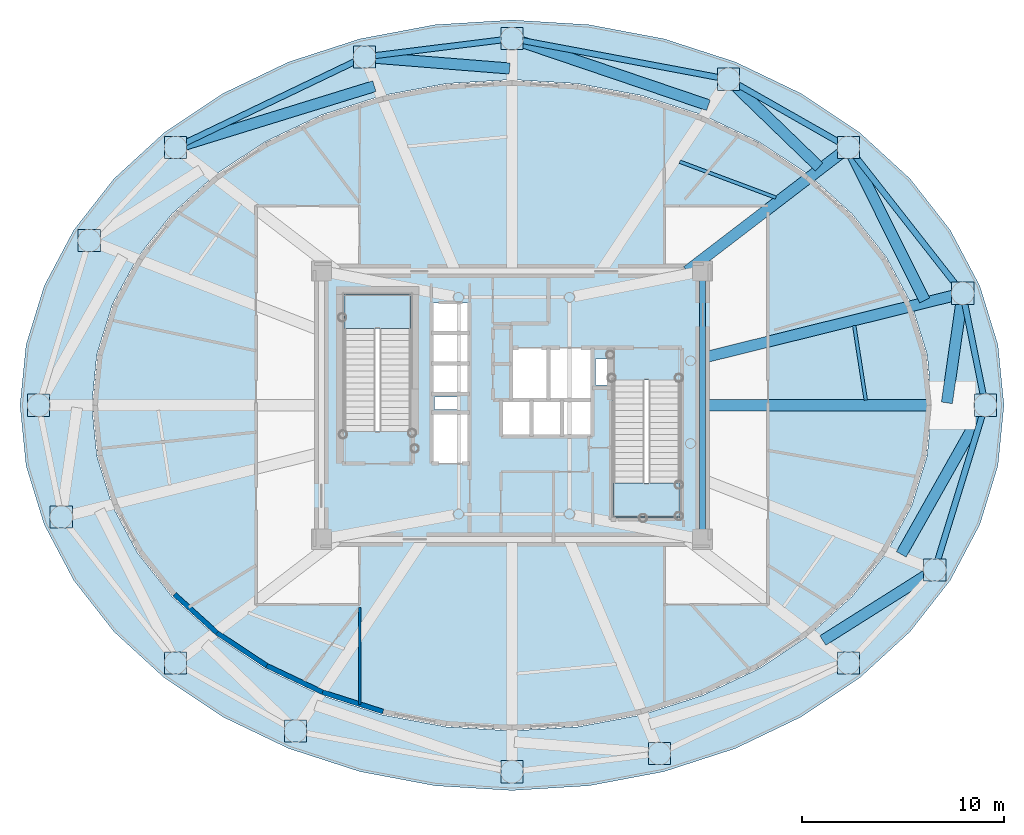
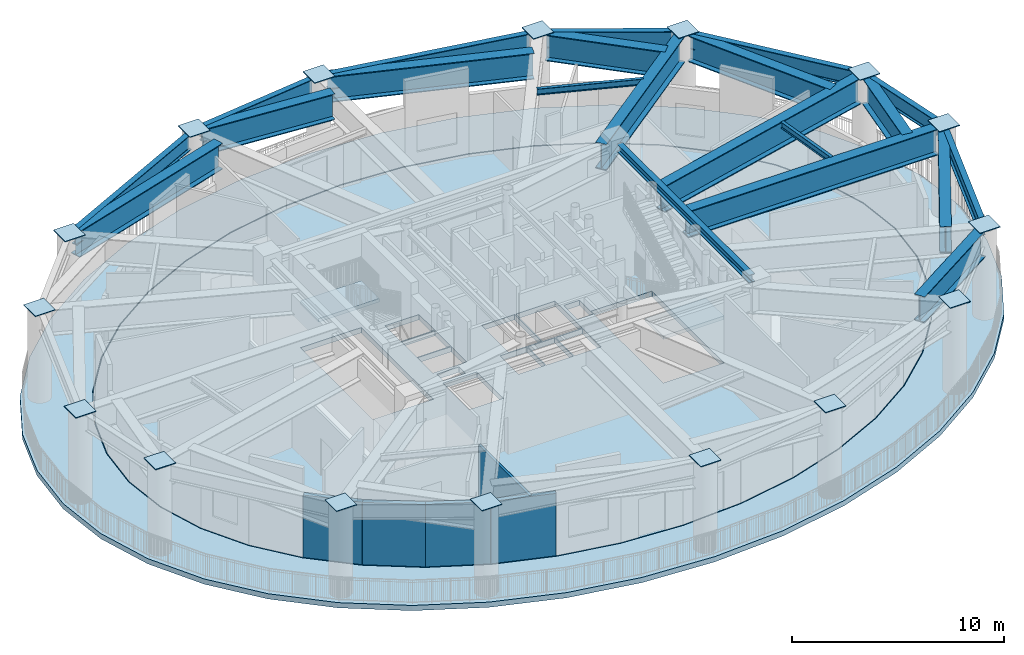
# One storey, part 3 of 14: 21 beams, 16 plates, 5 walls, 4 slabs, 2 elements without a shape of their own.
"""IFC4 building model written with IfcOpenShell, lengths in metres."""

from ifc_helpers import new_model, si_unit, direction, frame, frame_2d, origin, origin_2d, place, context, subcontext, project, spatial, polyline, rectangle, i_section, outline, extrude, source, transform, mapped, material, layer, layer_set, material_profile, profile_set, type_object, element, aggregate, save


model = new_model("IFC4")

# Units and contexts
model_context = context("Model", 3, precision=1e-05, world=origin(), true_north=direction((0.0, 1.0)))
body_context = subcontext(model_context, "Body", "Model", "MODEL_VIEW")
ifc_project = project(units=[si_unit("LENGTHUNIT", "METRE"), si_unit("AREAUNIT", "SQUARE_METRE"), si_unit("VOLUMEUNIT", "CUBIC_METRE"), si_unit("PLANEANGLEUNIT", "RADIAN"), si_unit("MASSUNIT", "GRAM", prefix="KILO")], contexts=[model_context])

# Site, building, storey
site_placement = place(None, origin())
site = spatial("IfcSite", under=ifc_project, at=site_placement, CompositionType="ELEMENT")
building_placement = place(site_placement, origin())
building = spatial("IfcBuilding", under=site, at=building_placement, Name="Linh Dai School and Residence Tower", CompositionType="ELEMENT")
storey_placement = place(building_placement, frame((0.0, 0.0, 262.800048828125)))
storey = spatial("IfcBuildingStorey", under=building, at=storey_placement, Name="L65", CompositionType="ELEMENT", Elevation=262.800048828125)

# Beams
ifc_material_1 = material(Name="Structural Steel S355JR", Category="steel")
ifc_material_profile_1 = material_profile(ifc_material_1, i_section(OverallWidth=0.300048828125, OverallDepth=0.449951171875, WebThickness=0.013916015625, FlangeThickness=0.02587890625, FilletRadius=0.027099609375, at=origin_2d()), Name="HEB 450")
ifc_profile_set_1 = profile_set([ifc_material_profile_1], Name="Structural Steel S355JR")
beam_type_1 = type_object("IfcBeamType", Name="BM-RG45", PredefinedType="BEAM", material=ifc_profile_set_1)
beam_1_placement = place(storey_placement, frame((45.449951171875, 20.77001953125, 4.875), z_axis=(0.0, 1.0, 0.0), x_axis=(-1.0, 0.0, 0.0)))
element("IfcBeam", 1, at=beam_1_placement, inside=storey, type_object=beam_type_1, Name="L65 Core Perimeter Coupling Girder 2", PredefinedType="BEAM", context=body_context, shape_type="SweptSolid", body=[
    extrude(i_section(OverallWidth=0.300048828125, OverallDepth=0.449951171875, WebThickness=0.013916015625, FlangeThickness=0.02587890625, FilletRadius=0.027099609375, at=origin_2d()), origin(), (0.0, 0.0, 1.0), 12.4599609375),
])
ifc_material_profile_2 = material_profile(ifc_material_1, i_section(OverallWidth=0.300048828125, OverallDepth=0.89990234375, WebThickness=0.0185546875, FlangeThickness=0.034912109375, FilletRadius=0.030029296875, at=origin_2d()), Name="HEB 900")
ifc_profile_set_2 = profile_set([ifc_material_profile_2], Name="Structural Steel S355JR")
beam_type_2 = type_object("IfcBeamType", Name="BM-RG9", PredefinedType="BEAM", material=ifc_profile_set_2)
beam_2_placement = place(storey_placement, frame((59.3916015625, 27.41162109375, 4.64990234375), z_axis=(-0.198423200906, 0.980116438666, 0.0), x_axis=(-0.980116438666, -0.198423200906, 0.0)))
element("IfcBeam", 2, at=beam_2_placement, inside=storey, type_object=beam_type_2, Name="L65 Perimeter Elliptical Ring Beam 01", PredefinedType="BEAM", context=body_context, shape_type="SweptSolid", body=[
    extrude(i_section(OverallWidth=0.300048828125, OverallDepth=0.89990234375, WebThickness=0.0185546875, FlangeThickness=0.034912109375, FilletRadius=0.030029296875, at=origin_2d()), origin(), (0.0, 0.0, 1.0), 4.822021484375),
])
beam_3_placement = place(storey_placement, frame((58.09228515625, 32.8798828125, 4.64990234375), z_axis=(-0.616900268003, 0.787041332674, 0.0), x_axis=(-0.787041332674, -0.616900268003, 0.0)))
element("IfcBeam", 3, at=beam_3_placement, inside=storey, type_object=beam_type_2, Name="L65 Perimeter Elliptical Ring Beam 02", PredefinedType="BEAM", context=body_context, shape_type="SweptSolid", body=[
    extrude(i_section(OverallWidth=0.300048828125, OverallDepth=0.89990234375, WebThickness=0.0185546875, FlangeThickness=0.034912109375, FilletRadius=0.030029296875, at=origin_2d()), origin(), (0.0, 0.0, 1.0), 8.348388671875),
])
beam_4_placement = place(storey_placement, frame((52.318115234375, 39.988525390625, 4.64990234375), z_axis=(-0.869297314463, 0.494289570058, 0.0), x_axis=(-0.494289570058, -0.869297314463, 0.0)))
element("IfcBeam", 4, at=beam_4_placement, inside=storey, type_object=beam_type_2, Name="L65 Perimeter Elliptical Ring Beam 03", PredefinedType="BEAM", context=body_context, shape_type="SweptSolid", body=[
    extrude(i_section(OverallWidth=0.300048828125, OverallDepth=0.89990234375, WebThickness=0.0185546875, FlangeThickness=0.034912109375, FilletRadius=0.030029296875, at=origin_2d()), origin(), (0.0, 0.0, 1.0), 6.003173828125),
])
beam_5_placement = place(storey_placement, frame((46.32177734375, 43.240966796875, 4.64990234375), z_axis=(-0.982806607762, 0.184637947722, 0.0), x_axis=(-0.184637947722, -0.982806607762, 0.0)))
element("IfcBeam", 5, at=beam_5_placement, inside=storey, type_object=beam_type_2, Name="L65 Perimeter Elliptical Ring Beam 04", PredefinedType="BEAM", context=body_context, shape_type="SweptSolid", body=[
    extrude(i_section(OverallWidth=0.300048828125, OverallDepth=0.89990234375, WebThickness=0.0185546875, FlangeThickness=0.034912109375, FilletRadius=0.030029296875, at=origin_2d()), origin(), (0.0, 0.0, 1.0), 10.082275390625),
])
beam_6_placement = place(storey_placement, frame((35.583251953125, 45.12841796875, 4.64990234375), z_axis=(-0.992401656104, -0.123040452539, 0.0), x_axis=(0.123040452539, -0.992401656104, 0.0)))
element("IfcBeam", 6, at=beam_6_placement, inside=storey, type_object=beam_type_2, Name="L65 Perimeter Elliptical Ring Beam 05", PredefinedType="BEAM", context=body_context, shape_type="SweptSolid", body=[
    extrude(i_section(OverallWidth=0.300048828125, OverallDepth=0.89990234375, WebThickness=0.0185546875, FlangeThickness=0.034912109375, FilletRadius=0.030029296875, at=origin_2d()), origin(), (0.0, 0.0, 1.0), 6.528076171875),
])
beam_7_placement = place(storey_placement, frame((28.309326171875, 44.092041015625, 4.64990234375), z_axis=(-0.901735920201, -0.432287323686, 0.0), x_axis=(0.432287323686, -0.901735920201, 0.0)))
element("IfcBeam", 7, at=beam_7_placement, inside=storey, type_object=beam_type_2, Name="L65 Perimeter Elliptical Ring Beam 06", PredefinedType="BEAM", context=body_context, shape_type="SweptSolid", body=[
    extrude(i_section(OverallWidth=0.300048828125, OverallDepth=0.89990234375, WebThickness=0.0185546875, FlangeThickness=0.034912109375, FilletRadius=0.030029296875, at=origin_2d()), origin(), (0.0, 0.0, 1.0), 9.552490234375),
])
beam_8_placement = place(storey_placement, frame((57.088623046875, 19.232421875, 4.64990234375), z_axis=(0.293660595717, 0.95590975229, 0.0), x_axis=(-0.95590975229, 0.293660595717, 0.0)))
element("IfcBeam", 8, at=beam_8_placement, inside=storey, type_object=beam_type_2, Name="L65 Perimeter Elliptical Ring Beam 16", PredefinedType="BEAM", context=body_context, shape_type="SweptSolid", body=[
    extrude(i_section(OverallWidth=0.300048828125, OverallDepth=0.89990234375, WebThickness=0.0185546875, FlangeThickness=0.034912109375, FilletRadius=0.030029296875, at=origin_2d()), origin(), (0.0, 0.0, 1.0), 7.7060546875),
])
ifc_material_profile_3 = material_profile(ifc_material_1, i_section(OverallWidth=0.169921875, OverallDepth=0.360107421875, WebThickness=0.008056640625, FlangeThickness=0.0126953125, FilletRadius=0.01806640625, at=origin_2d()), Name="IPE 360")
ifc_profile_set_3 = profile_set([ifc_material_profile_3], Name="Structural Steel S355JR")
beam_type_3 = type_object("IfcBeamType", Name="BM-SB36", PredefinedType="BEAM", material=ifc_profile_set_3)
beam_9_placement = place(storey_placement, frame((53.54541015625, 27.251953125, 4.919921875), z_axis=(-0.153169362504, 0.988199952636, 0.0), x_axis=(-0.988199952636, -0.153169362504, 0.0)))
element("IfcBeam", 9, at=beam_9_placement, inside=storey, type_object=beam_type_3, Name="L65 Secondary Circumferential Floor Beam 01", PredefinedType="BEAM", context=body_context, shape_type="SweptSolid", body=[
    extrude(i_section(OverallWidth=0.169921875, OverallDepth=0.360107421875, WebThickness=0.008056640625, FlangeThickness=0.0126953125, FilletRadius=0.01806640625, at=origin_2d()), origin(), (0.0, 0.0, 1.0), 3.744140625),
])
beam_10_placement = place(storey_placement, frame((49.083251953125, 37.29541015625, 4.919921875), z_axis=(-0.936544019385, 0.350549996083, 0.0), x_axis=(-0.350549996083, -0.936544019385, 0.0)))
element("IfcBeam", 10, at=beam_10_placement, inside=storey, type_object=beam_type_3, Name="L65 Secondary Circumferential Floor Beam 02", PredefinedType="BEAM", context=body_context, shape_type="SweptSolid", body=[
    extrude(i_section(OverallWidth=0.169921875, OverallDepth=0.360107421875, WebThickness=0.008056640625, FlangeThickness=0.0126953125, FilletRadius=0.01806640625, at=origin_2d()), origin(), (0.0, 0.0, 1.0), 5.086181640625),
])
ifc_material_profile_4 = material_profile(ifc_material_1, i_section(OverallWidth=0.550048828125, OverallDepth=1.5, WebThickness=0.028076171875, FlangeThickness=0.050048828125, at=origin_2d()), Name="PG 1500x550x28x50")
ifc_profile_set_4 = profile_set([ifc_material_profile_4], Name="Structural Steel S355JR")
beam_type_4 = type_object("IfcBeamType", Name="BM-TG15", PredefinedType="BEAM", material=ifc_profile_set_4)
beam_11_placement = place(storey_placement, frame((45.449951171875, 27.0, 4.349853515625), z_axis=(1.0, 0.0, 0.0), x_axis=(0.0, 1.0, 0.0)))
element("IfcBeam", 11, at=beam_11_placement, inside=storey, type_object=beam_type_4, Name="L65 Radial Setback Transfer Girder 01", PredefinedType="BEAM", context=body_context, shape_type="SweptSolid", body=[
    extrude(i_section(OverallWidth=0.550048828125, OverallDepth=1.5, WebThickness=0.028076171875, FlangeThickness=0.050048828125, at=origin_2d()), origin(), (0.0, 0.0, 1.0), 13.60498046875),
])
beam_12_placement = place(storey_placement, frame((57.567138671875, 27.11865234375, 4.349853515625), z_axis=(0.142959189378, 0.989728584094, 0.0), x_axis=(-0.989728584094, 0.142959189378, 0.0)))
element("IfcBeam", 12, at=beam_12_placement, inside=storey, type_object=beam_type_4, Name="L65 Setback Diaphragm Transfer Girder 01", PredefinedType="BEAM", context=body_context, shape_type="SweptSolid", body=[
    extrude(i_section(OverallWidth=0.550048828125, OverallDepth=1.5, WebThickness=0.028076171875, FlangeThickness=0.050048828125, at=origin_2d()), origin(), (0.0, 0.0, 1.0), 5.06689453125),
])
beam_13_placement = place(storey_placement, frame((45.449951171875, 29.34619140625, 4.349853515625), z_axis=(0.970537241974, 0.240951160904, 0.0), x_axis=(-0.240951160904, 0.970537241974, 0.0)))
element("IfcBeam", 13, at=beam_13_placement, inside=storey, type_object=beam_type_4, Name="L65 Radial Setback Transfer Girder 02", PredefinedType="BEAM", context=body_context, shape_type="SweptSolid", body=[
    extrude(i_section(OverallWidth=0.550048828125, OverallDepth=1.5, WebThickness=0.028076171875, FlangeThickness=0.050048828125, at=origin_2d()), origin(), (0.0, 0.0, 1.0), 12.873291015625),
])
beam_14_placement = place(storey_placement, frame((56.465087890625, 32.20166015625, 4.349853515625), z_axis=(-0.44648563007, 0.894790803563, 0.0), x_axis=(-0.894790803563, -0.44648563007, 0.0)))
element("IfcBeam", 14, at=beam_14_placement, inside=storey, type_object=beam_type_4, Name="L65 Setback Diaphragm Transfer Girder 02", PredefinedType="BEAM", context=body_context, shape_type="SweptSolid", body=[
    extrude(i_section(OverallWidth=0.550048828125, OverallDepth=1.5, WebThickness=0.028076171875, FlangeThickness=0.050048828125, at=origin_2d()), origin(), (0.0, 0.0, 1.0), 8.050537109375),
])
beam_15_placement = place(storey_placement, frame((44.680419921875, 33.64990234375, 4.349853515625), z_axis=(0.793814553483, 0.608159892363, 0.0), x_axis=(-0.608159892363, 0.793814553483, 0.0)))
element("IfcBeam", 15, at=beam_15_placement, inside=storey, type_object=beam_type_4, Name="L65 Radial Setback Transfer Girder 03", PredefinedType="BEAM", context=body_context, shape_type="SweptSolid", body=[
    extrude(i_section(OverallWidth=0.550048828125, OverallDepth=1.5, WebThickness=0.028076171875, FlangeThickness=0.050048828125, at=origin_2d()), origin(), (0.0, 0.0, 1.0), 9.661376953125),
])
beam_16_placement = place(storey_placement, frame((51.22900390625, 38.81689453125, 4.349853515625), z_axis=(-0.718812643835, 0.695203842814, 0.0), x_axis=(-0.695203842814, -0.718812643835, 0.0)))
element("IfcBeam", 16, at=beam_16_placement, inside=storey, type_object=beam_type_4, Name="L65 Setback Diaphragm Transfer Girder 03", PredefinedType="BEAM", context=body_context, shape_type="SweptSolid", body=[
    extrude(i_section(OverallWidth=0.550048828125, OverallDepth=1.5, WebThickness=0.028076171875, FlangeThickness=0.050048828125, at=origin_2d()), origin(), (0.0, 0.0, 1.0), 5.832275390625),
])
beam_17_placement = place(storey_placement, frame((45.74072265625, 41.877197265625, 4.349853515625), z_axis=(-0.947039860477, 0.321116026799, 0.0), x_axis=(-0.321116026799, -0.947039860477, 0.0)))
element("IfcBeam", 17, at=beam_17_placement, inside=storey, type_object=beam_type_4, Name="L65 Setback Diaphragm Transfer Girder 04", PredefinedType="BEAM", context=body_context, shape_type="SweptSolid", body=[
    extrude(i_section(OverallWidth=0.550048828125, OverallDepth=1.5, WebThickness=0.028076171875, FlangeThickness=0.050048828125, at=origin_2d()), origin(), (0.0, 0.0, 1.0), 9.865478515625),
])
beam_18_placement = place(storey_placement, frame((35.88037109375, 43.699462890625, 4.349853515625), z_axis=(-0.996831252017, 0.079545301567, 0.0), x_axis=(-0.079545301567, -0.996831252017, 0.0)))
element("IfcBeam", 18, at=beam_18_placement, inside=storey, type_object=beam_type_4, Name="L65 Setback Diaphragm Transfer Girder 05", PredefinedType="BEAM", context=body_context, shape_type="SweptSolid", body=[
    extrude(i_section(OverallWidth=0.550048828125, OverallDepth=1.5, WebThickness=0.028076171875, FlangeThickness=0.050048828125, at=origin_2d()), origin(), (0.0, 0.0, 1.0), 6.795166015625),
])
beam_19_placement = place(storey_placement, frame((29.1728515625, 42.822509765625, 4.349853515625), z_axis=(-0.955533802435, -0.294881590479, 0.0), x_axis=(0.294881590479, -0.955533802435, 0.0)))
element("IfcBeam", 19, at=beam_19_placement, inside=storey, type_object=beam_type_4, Name="L65 Setback Diaphragm Transfer Girder 06", PredefinedType="BEAM", context=body_context, shape_type="SweptSolid", body=[
    extrude(i_section(OverallWidth=0.550048828125, OverallDepth=1.5, WebThickness=0.028076171875, FlangeThickness=0.050048828125, at=origin_2d()), origin(), (0.0, 0.0, 1.0), 9.89453125),
])
beam_20_placement = place(storey_placement, frame((51.416748046875, 15.33056640625, 4.349853515625), z_axis=(0.845757111662, 0.533568091318, 0.0), x_axis=(-0.533568091318, 0.845757111662, 0.0)))
element("IfcBeam", 20, at=beam_20_placement, inside=storey, type_object=beam_type_4, Name="L65 Setback Diaphragm Transfer Girder 15", PredefinedType="BEAM", context=body_context, shape_type="SweptSolid", body=[
    extrude(i_section(OverallWidth=0.550048828125, OverallDepth=1.5, WebThickness=0.028076171875, FlangeThickness=0.050048828125, at=origin_2d()), origin(), (0.0, 0.0, 1.0), 6.140380859375),
])
beam_21_placement = place(storey_placement, frame((55.304931640625, 19.605224609375, 4.349853515625), z_axis=(0.491204662969, 0.871044188935, 0.0), x_axis=(-0.871044188935, 0.491204662969, 0.0)))
element("IfcBeam", 21, at=beam_21_placement, inside=storey, type_object=beam_type_4, Name="L65 Setback Diaphragm Transfer Girder 16", PredefinedType="BEAM", context=body_context, shape_type="SweptSolid", body=[
    extrude(i_section(OverallWidth=0.550048828125, OverallDepth=1.5, WebThickness=0.028076171875, FlangeThickness=0.050048828125, at=origin_2d()), origin(), (0.0, 0.0, 1.0), 8.069580078125),
])

# Slabs
ifc_material_2 = material(Name="Concrete B45 (C35/45)", Category="concrete")
ifc_layer_1 = layer(ifc_material_2, 0.300048828125)
ifc_layer_set_1 = layer_set([ifc_layer_1], Name="Concrete B45 (C35/45)")
slab_type_1 = type_object("IfcSlabType", Name="SLB-DECK300", PredefinedType="FLOOR", material=ifc_layer_set_1)
slab_1_placement = place(storey_placement, frame((0.0, 0.0, -0.300048828125)))
element("IfcSlab", 22, at=slab_1_placement, inside=storey, type_object=slab_type_1, Name="L65 Planted Sky-Garden Refuge Terrace Slab", PredefinedType="FLOOR", context=body_context, shape_type="SweptSolid", body=[
    extrude(outline(polyline([(60.39990234375, 27.0), (60.099609375, 29.98876953125), (59.205810546875, 32.90380859375), (57.740478515625, 35.673583984375), (55.739990234375, 38.229736328125), (53.25341796875, 40.50927734375), (50.342041015625, 42.456298828125), (47.077392578125, 44.022705078125), (43.5400390625, 45.169921875), (39.81689453125, 45.869873046875), (36.0, 46.10498046875), (32.18310546875, 45.869873046875), (28.4599609375, 45.169921875), (24.922607421875, 44.022705078125), (21.657958984375, 42.456298828125), (18.74658203125, 40.50927734375), (16.260009765625, 38.229736328125), (14.259521484375, 35.673583984375), (12.794189453125, 32.90380859375), (11.900390625, 29.98876953125), (11.60009765625, 27.0), (11.900390625, 24.01123046875), (12.794189453125, 21.09619140625), (14.259521484375, 18.326416015625), (16.260009765625, 15.770263671875), (18.74658203125, 13.49072265625), (21.657958984375, 11.543701171875), (24.922607421875, 9.977294921875), (28.4599609375, 8.830078125), (32.18310546875, 8.130126953125), (36.0, 7.89501953125), (39.81689453125, 8.130126953125), (43.5400390625, 8.830078125), (47.077392578125, 9.977294921875), (50.342041015625, 11.543701171875), (53.25341796875, 13.49072265625), (55.739990234375, 15.770263671875), (57.740478515625, 18.326416015625), (59.205810546875, 21.09619140625), (60.099609375, 24.01123046875), (60.39990234375, 27.0)]), holes=[polyline([(56.840087890625, 27.0), (56.58349609375, 29.525634765625), (55.820068359375, 31.989013671875), (54.568603515625, 34.32958984375), (52.85986328125, 36.48974609375), (50.736083984375, 38.416259765625), (48.24951171875, 40.0615234375), (45.461181640625, 41.38525390625), (42.43994140625, 42.354736328125), (39.260009765625, 42.9462890625), (36.0, 43.14501953125), (32.739990234375, 42.9462890625), (29.56005859375, 42.354736328125), (26.538818359375, 41.38525390625), (23.75048828125, 40.0615234375), (21.263916015625, 38.416259765625), (19.14013671875, 36.48974609375), (17.431396484375, 34.32958984375), (16.179931640625, 31.989013671875), (15.41650390625, 29.525634765625), (15.159912109375, 27.0), (15.41650390625, 24.474365234375), (16.179931640625, 22.010986328125), (17.431396484375, 19.67041015625), (19.14013671875, 17.51025390625), (21.263916015625, 15.583740234375), (23.75048828125, 13.9384765625), (26.538818359375, 12.61474609375), (29.56005859375, 11.645263671875), (32.739990234375, 11.0537109375), (36.0, 10.85498046875), (39.260009765625, 11.0537109375), (42.43994140625, 11.645263671875), (45.461181640625, 12.61474609375), (48.24951171875, 13.9384765625), (50.736083984375, 15.583740234375), (52.85986328125, 17.51025390625), (54.568603515625, 19.67041015625), (55.820068359375, 22.010986328125), (56.58349609375, 24.474365234375), (56.840087890625, 27.0)])]), origin(), (0.0, 0.0, 1.0), 0.300048828125),
])
ifc_layer_2 = layer(ifc_material_2, 0.300048828125)
ifc_layer_set_2 = layer_set([ifc_layer_2], Name="Concrete B45 (C35/45)")
slab_type_2 = type_object("IfcSlabType", Name="SLB-FLR300", PredefinedType="FLOOR", material=ifc_layer_set_2)
slab_2_placement = place(storey_placement, frame((0.0, 0.0, -0.300048828125)))
element("IfcSlab", 23, at=slab_2_placement, inside=storey, type_object=slab_type_2, Name="L65 Refuge & Mechanical Plant Indoor Slab", PredefinedType="FLOOR", context=body_context, shape_type="SweptSolid", body=[
    extrude(outline(polyline([(56.800048828125, 27.0), (56.5439453125, 29.519287109375), (55.781982421875, 31.976806640625), (54.532958984375, 34.3115234375), (52.82763671875, 36.46630859375), (50.707763671875, 38.387939453125), (48.225830078125, 40.029296875), (45.443115234375, 41.349609375), (42.427490234375, 42.316650390625), (39.25390625, 42.90673828125), (36.0, 43.10498046875), (32.74609375, 42.90673828125), (29.572509765625, 42.316650390625), (26.556884765625, 41.349609375), (23.774169921875, 40.029296875), (21.292236328125, 38.387939453125), (19.17236328125, 36.46630859375), (17.467041015625, 34.3115234375), (16.218017578125, 31.976806640625), (15.4560546875, 29.519287109375), (15.199951171875, 27.0), (15.4560546875, 24.480712890625), (16.218017578125, 22.023193359375), (17.467041015625, 19.6884765625), (19.17236328125, 17.53369140625), (21.292236328125, 15.612060546875), (23.774169921875, 13.970703125), (26.556884765625, 12.650390625), (29.572509765625, 11.683349609375), (32.74609375, 11.09326171875), (36.0, 10.89501953125), (39.25390625, 11.09326171875), (42.427490234375, 11.683349609375), (45.443115234375, 12.650390625), (48.225830078125, 13.970703125), (50.707763671875, 15.612060546875), (52.82763671875, 17.53369140625), (54.532958984375, 19.6884765625), (55.781982421875, 22.023193359375), (56.5439453125, 24.480712890625), (56.800048828125, 27.0)]), holes=[polyline([(30.97998046875, 25.699951171875), (30.97998046875, 32.5), (27.679931640625, 32.5), (27.679931640625, 25.699951171875), (30.97998046875, 25.699951171875)]), polyline([(41.02001953125, 28.25), (41.02001953125, 21.449951171875), (44.320068359375, 21.449951171875), (44.320068359375, 28.25), (41.02001953125, 28.25)]), polyline([(35.97998046875, 27.280029296875), (37.77001953125, 27.280029296875), (37.77001953125, 29.820068359375), (35.97998046875, 29.820068359375), (35.97998046875, 27.280029296875)]), polyline([(32.030029296875, 24.1298828125), (33.8701171875, 24.1298828125), (33.8701171875, 26.6201171875), (32.030029296875, 26.6201171875), (32.030029296875, 24.1298828125)]), polyline([(37.830078125, 27.280029296875), (39.969970703125, 27.280029296875), (39.969970703125, 29.820068359375), (37.830078125, 29.820068359375), (37.830078125, 27.280029296875)]), polyline([(32.030029296875, 27.580078125), (33.8701171875, 27.580078125), (33.8701171875, 29.030029296875), (32.030029296875, 29.030029296875), (32.030029296875, 27.580078125)]), polyline([(32.030029296875, 29.090087890625), (33.8701171875, 29.090087890625), (33.8701171875, 30.550048828125), (32.030029296875, 30.550048828125), (32.030029296875, 29.090087890625)]), polyline([(32.030029296875, 30.610107421875), (33.8701171875, 30.610107421875), (33.8701171875, 32.070068359375), (32.030029296875, 32.070068359375), (32.030029296875, 30.610107421875)]), polyline([(35.47998046875, 25.47998046875), (36.929931640625, 25.47998046875), (36.929931640625, 27.219970703125), (35.47998046875, 27.219970703125), (35.47998046875, 25.47998046875)]), polyline([(36.989990234375, 25.47998046875), (38.449951171875, 25.47998046875), (38.449951171875, 27.219970703125), (36.989990234375, 27.219970703125), (36.989990234375, 25.47998046875)]), polyline([(38.510009765625, 25.47998046875), (39.969970703125, 25.47998046875), (39.969970703125, 27.219970703125), (38.510009765625, 27.219970703125), (38.510009765625, 25.47998046875)]), polyline([(40.14990234375, 28.0), (40.14990234375, 29.300048828125), (41.0, 29.300048828125), (41.0, 28.280029296875), (40.989990234375, 28.280029296875), (40.989990234375, 28.0), (40.14990234375, 28.0)]), polyline([(32.14990234375, 26.800048828125), (33.35009765625, 26.800048828125), (33.35009765625, 27.39990234375), (32.14990234375, 27.39990234375), (32.14990234375, 26.800048828125)])]), origin(), (0.0, 0.0, 1.0), 0.300048828125),
])

# Stair, slab
stair_type = type_object("IfcStairType", Name="ST-DOG-1550-R1500", PredefinedType="HALF_TURN_STAIR", material=ifc_material_2)
stair_1_placement = place(storey_placement, origin())
stair_1 = element("IfcStair", 24, at=stair_1_placement, inside=storey, type_object=stair_type, Name="L65 Core Smokeproof Exit Stair ST1", PredefinedType="HALF_TURN_STAIR")
ifc_layer_3 = layer(ifc_material_2, 0.199951171875)
ifc_layer_set_3 = layer_set([ifc_layer_3], Name="Concrete B45 (C35/45)")
slab_type_3 = type_object("IfcSlabType", Name="SLB-ST-LANDING-200", PredefinedType="LANDING", material=ifc_layer_set_3)
slab_3_placement = place(storey_placement, frame((0.0, 0.0, 2.5)))
slab_3 = element("IfcSlab", 25, at=slab_3_placement, type_object=slab_type_3, Name="ST1 landing 1", PredefinedType="LANDING", context=body_context, shape_type="SweptSolid", body=[
    extrude(outline(polyline([(30.97998046875, 30.800048828125), (30.97998046875, 32.5), (27.679931640625, 32.5), (27.679931640625, 30.800048828125), (30.97998046875, 30.800048828125)])), origin(), (0.0, 0.0, 1.0), 0.199951171875),
])
aggregate(stair_1, [slab_3])

stair_2_placement = place(storey_placement, origin())
stair_2 = element("IfcStair", 26, at=stair_2_placement, inside=storey, type_object=stair_type, Name="L65 Core Smokeproof Exit Stair ST2", PredefinedType="HALF_TURN_STAIR")
slab_4_placement = place(storey_placement, frame((0.0, 0.0, 2.5)))
slab_4 = element("IfcSlab", 27, at=slab_4_placement, type_object=slab_type_3, Name="ST2 landing 1", PredefinedType="LANDING", context=body_context, shape_type="SweptSolid", body=[
    extrude(outline(polyline([(41.02001953125, 23.14990234375), (41.02001953125, 21.449951171875), (44.320068359375, 21.449951171875), (44.320068359375, 23.14990234375), (41.02001953125, 23.14990234375)])), origin(), (0.0, 0.0, 1.0), 0.199951171875),
])
aggregate(stair_2, [slab_4])

# Plates
ifc_layer_4 = layer(ifc_material_1, 0.0400390625)
ifc_layer_set_4 = layer_set([ifc_layer_4], Name="Structural Steel S355JR")
plate_type = type_object("IfcPlateType", Name="PLT-GP1", PredefinedType="USERDEFINED", material=ifc_layer_set_4)
shared_shape = source(origin(), body_context, "Body", "SweptSolid", [
    extrude(rectangle(XDim=1.10009765625, YDim=1.10009765625, at=origin_2d()), origin(), (0.0, 0.0, 1.0), 0.0400390625),
])
for number, where, z_axis, x_axis, name in (
    (28, (59.47509765625, 27.0, 5.099853515625), (0.0, 0.0, 1.0), (1.0, 0.0, 0.0), "L65 MC01 Column Cap Plate"),
    (29, (58.351318359375, 32.54931640625, 5.099853515625), (0.0, 0.0, 1.0), (1.0, 0.0, 0.0), "L65 MC02 Column Cap Plate"),
    (30, (52.68310546875, 39.781005859375, 5.099853515625), (0.0, 0.0, 1.0), (1.0, 0.0, 0.0), "L65 MC03 Column Cap Plate"),
    (31, (46.734619140625, 43.16357421875, 5.099853515625), (0.0, 0.0, 1.0), (1.0, 0.0, 0.0), "L65 MC04 Column Cap Plate"),
    (32, (36.0, 45.179931640625, 5.099853515625), (0.0, 0.0, 1.0), (1.0, 0.0, 0.0), "L65 MC05 Column Cap Plate"),
    (33, (28.68798828125, 44.2734375, 5.099853515625), (0.0, 0.0, 1.0), (1.0, 0.0, 0.0), "L65 MC06 Column Cap Plate"),
    (34, (19.31689453125, 39.781005859375, 5.099853515625), (0.0, 0.0, 1.0), (1.0, 0.0, 0.0), "L65 MC07 Column Cap Plate"),
    (35, (15.03466796875, 35.1689453125, 5.099853515625), (0.0, 0.0, 1.0), (1.0, 0.0, 0.0), "L65 MC08 Column Cap Plate"),
    (36, (12.52490234375, 27.0, 5.099853515625), (0.0, 0.0, 1.0), (1.0, 0.0, 0.0), "L65 MC09 Column Cap Plate"),
    (37, (13.648681640625, 21.45068359375, 5.099853515625), (0.0, 0.0, 1.0), (1.0, 0.0, 0.0), "L65 MC10 Column Cap Plate"),
    (38, (19.31689453125, 14.218994140625, 5.099853515625), (0.0, 0.0, 1.0), (1.0, 0.0, 0.0), "L65 MC11 Column Cap Plate"),
    (39, (25.265380859375, 10.83642578125, 5.099853515625), (0.0, 0.0, 1.0), (1.0, 0.0, 0.0), "L65 MC12 Column Cap Plate"),
    (40, (36.0, 8.820068359375, 5.099853515625), (0.0, 0.0, 1.0), (1.0, 0.0, 0.0), "L65 MC13 Column Cap Plate"),
    (41, (43.31201171875, 9.7265625, 5.099853515625), (0.0, 0.0, 1.0), (1.0, 0.0, 0.0), "L65 MC14 Column Cap Plate"),
    (42, (52.68310546875, 14.218994140625, 5.099853515625), (0.0, 0.0, 1.0), (1.0, 0.0, 0.0), "L65 MC15 Column Cap Plate"),
    (43, (56.96533203125, 18.8310546875, 5.099853515625), (0.0, 0.0, 1.0), (1.0, 0.0, 0.0), "L65 MC16 Column Cap Plate"),
):
    element("IfcPlate", number, at=place(storey_placement, frame(where, z_axis=z_axis, x_axis=x_axis)), inside=storey, type_object=plate_type, Name=name, ObjectType="GUSSET PLATE", PredefinedType="USERDEFINED", context=body_context, shape_type="MappedRepresentation", body=[
        mapped(shared_shape, transform((0.0, 0.0, 0.0), x_axis=(1.0, 0.0, 0.0), y_axis=(0.0, 1.0, 0.0), z_axis=(0.0, 0.0, 1.0), scale=1.0)),
    ])

# Walls
ifc_material_3 = material(Name="Precast Concrete B45 (C35/45)", Category="concrete")
ifc_layer_5 = layer(ifc_material_3, 0.239990234375)
ifc_layer_set_5 = layer_set([ifc_layer_5], Name="Precast Concrete B45 (C35/45)")
wall_type_1 = type_object("IfcWallType", Name="EW-TC-240", PredefinedType="SOLIDWALL", material=ifc_layer_set_5)
wall_1_placement = place(storey_placement, frame((21.36865234375, 15.7109375, 0.0), z_axis=(0.0, 0.0, 1.0), x_axis=(-0.740888066362, 0.67162852316, 0.0)))
element("IfcWall", 44, at=wall_1_placement, inside=storey, type_object=wall_type_1, Name="L65 Terracotta Exterior Wall 25", PredefinedType="SOLIDWALL", context=body_context, shape_type="SweptSolid", body=[
    extrude(rectangle(XDim=2.841064453125, YDim=0.239990234375, at=frame_2d((1.42041015625, 0.0))), origin(), (0.0, 0.0, 1.0), 3.5849609375),
])
wall_2_placement = place(storey_placement, frame((23.83544921875, 14.079833984375, 0.0), z_axis=(0.0, 0.0, 1.0), x_axis=(-0.834139994044, 0.551552781097, 0.0)))
element("IfcWall", 45, at=wall_2_placement, inside=storey, type_object=wall_type_1, Name="L65 Terracotta Exterior Wall 26", PredefinedType="SOLIDWALL", context=body_context, shape_type="SweptSolid", body=[
    extrude(rectangle(XDim=2.957275390625, YDim=0.239990234375, at=frame_2d((1.478515625, 0.0))), origin(), (0.0, 0.0, 1.0), 3.5849609375),
])
wall_3_placement = place(storey_placement, frame((26.602783203125, 12.7666015625, 0.0), z_axis=(0.0, 0.0, 1.0), x_axis=(-0.903435751873, 0.428723503249, 0.0)))
element("IfcWall", 46, at=wall_3_placement, inside=storey, type_object=wall_type_1, Name="L65 Terracotta Exterior Wall 27", PredefinedType="SOLIDWALL", context=body_context, shape_type="SweptSolid", body=[
    extrude(rectangle(XDim=3.063232421875, YDim=0.239990234375, at=frame_2d((1.53173828125, 0.0))), origin(), (0.0, 0.0, 1.0), 3.5849609375),
])
wall_4_placement = place(storey_placement, frame((29.60302734375, 11.804443359375, 0.0), z_axis=(0.0, 0.0, 1.0), x_axis=(-0.95223232308, 0.305374528868, 0.0)))
element("IfcWall", 47, at=wall_4_placement, inside=storey, type_object=wall_type_1, Name="L65 Terracotta Exterior Wall 28", PredefinedType="SOLIDWALL", context=body_context, shape_type="SweptSolid", body=[
    extrude(rectangle(XDim=3.150634765625, YDim=0.239990234375, at=frame_2d((1.5751953125, 0.0))), origin(), (0.0, 0.0, 1.0), 3.5849609375),
])
ifc_material_4 = material(Name="Autoclaved Aerated Concrete Blockwork", Category="masonry")
ifc_layer_6 = layer(ifc_material_4, 0.135009765625)
ifc_layer_set_6 = layer_set([ifc_layer_6], Name="Autoclaved Aerated Concrete Blockwork")
wall_type_2 = type_object("IfcWallType", Name="IW-CORR-135-EI90", PredefinedType="PARTITIONING", material=ifc_layer_set_6)
wall_5_placement = place(storey_placement, frame((28.449951171875, 12.1689453125, 0.0), z_axis=(0.0, 0.0, 1.0), x_axis=(0.0, 1.0, 0.0)))
element("IfcWall", 48, at=wall_5_placement, inside=storey, type_object=wall_type_2, Name="L65 Interior Partition Wall 011", PredefinedType="PARTITIONING", context=body_context, shape_type="SweptSolid", body=[
    extrude(rectangle(XDim=4.811767578125, YDim=0.135009765625, at=frame_2d((2.40576171875, 0.0))), origin(), (0.0, 0.0, 1.0), 3.5849609375),
])

save(model, "model.ifc")
